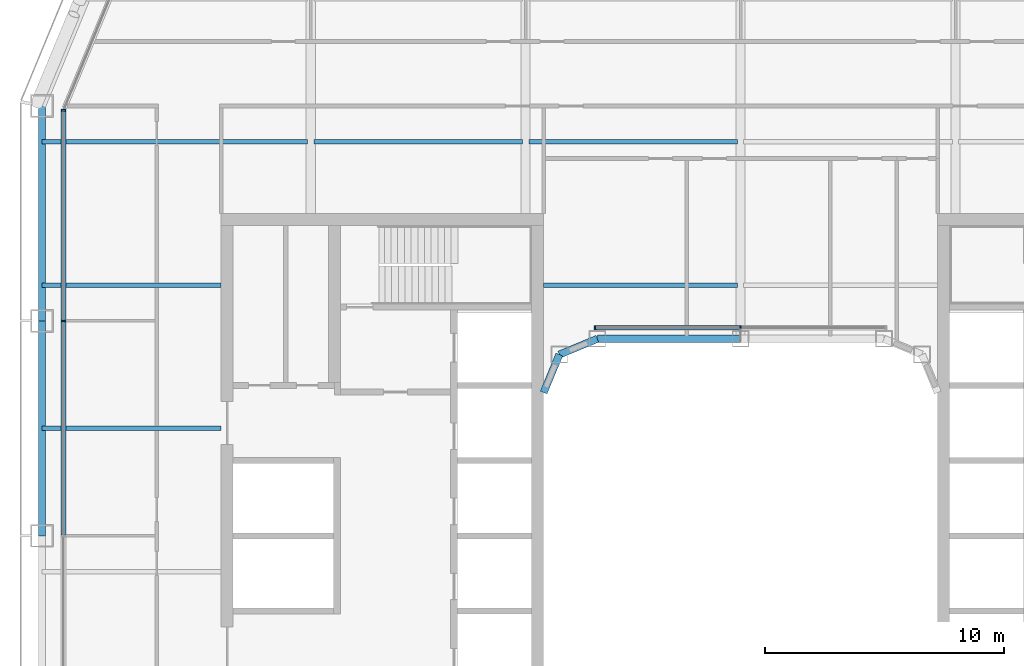
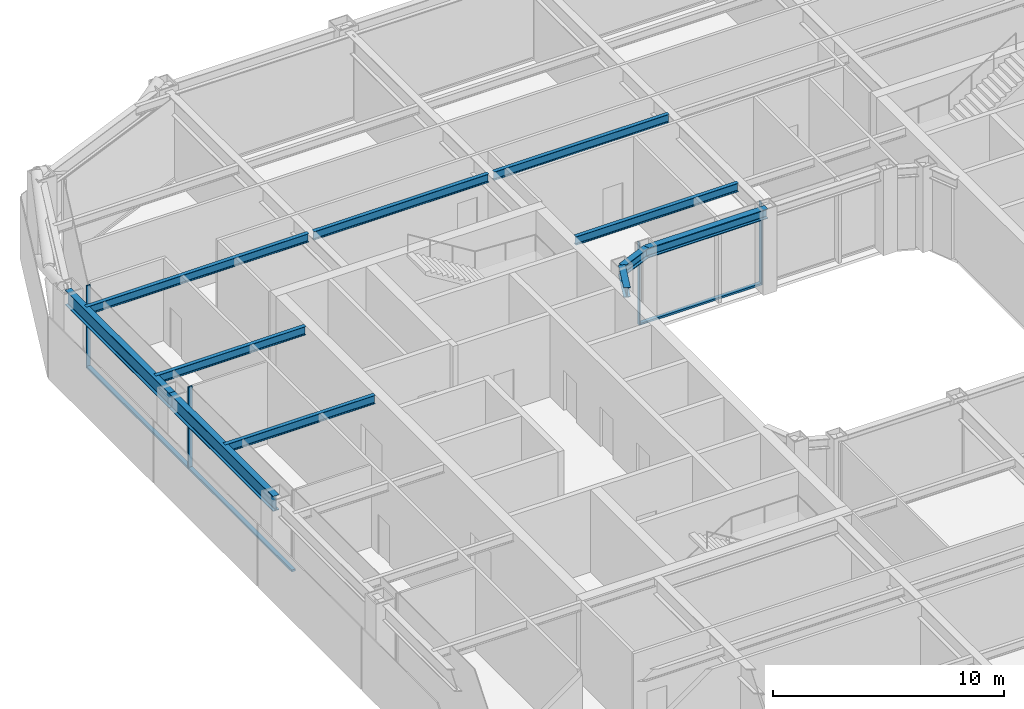
# One storey, part 6 of 21: 11 beams, 7 members, 2 elements without a shape of their own.
"""IFC4 building model written with IfcOpenShell, lengths in metres."""

from ifc_helpers import new_model, si_unit, direction, frame, origin, origin_2d, place, context, subcontext, project, spatial, rectangle, i_section, extrude, material, layer, layer_set, material_profile, profile_set, type_object, element, aggregate, save


model = new_model("IFC4")

# Units and contexts
model_context = context("Model", 3, precision=1e-05, world=origin(), true_north=direction((0.0, 1.0)))
body_context = subcontext(model_context, "Body", "Model", "MODEL_VIEW")
ifc_project = project(units=[si_unit("LENGTHUNIT", "METRE"), si_unit("AREAUNIT", "SQUARE_METRE"), si_unit("VOLUMEUNIT", "CUBIC_METRE"), si_unit("PLANEANGLEUNIT", "RADIAN"), si_unit("MASSUNIT", "GRAM", prefix="KILO")], contexts=[model_context])

# Site, building, storey
site_placement = place(None, origin())
site = spatial("IfcSite", under=ifc_project, at=site_placement, CompositionType="ELEMENT")
building_placement = place(site_placement, origin())
building = spatial("IfcBuilding", under=site, at=building_placement, Name="Siwar Civic Tower", CompositionType="ELEMENT")
storey_placement = place(building_placement, frame((0.0, 0.0, 122.699951171875)))
storey = spatial("IfcBuildingStorey", under=building, at=storey_placement, Name="L26", CompositionType="ELEMENT", Elevation=122.699951171875)

# Curtain wall, members
ifc_material_1 = material(Name="Aluminium and glass", Category="aluminium")
ifc_layer_1 = layer(ifc_material_1, 0.199951171875)
ifc_layer_set_1 = layer_set([ifc_layer_1], Name="Aluminium and glass")
curtain_wall_type_1 = type_object("IfcCurtainWallType", Name="ENV-CW-B", PredefinedType="NOTDEFINED", material=ifc_layer_set_1)
curtain_wall_1_placement = place(storey_placement, origin())
curtain_wall_1 = element("IfcCurtainWall", 1, at=curtain_wall_1_placement, inside=storey, type_object=curtain_wall_type_1, Name="Curtain wall B W", PredefinedType="NOTDEFINED")
ifc_material_2 = material(Name="Aluminium 6063-T6", Category="aluminium")
ifc_material_profile_1 = material_profile(ifc_material_2, rectangle(XDim=0.199951171875, YDim=0.06494140625, at=origin_2d()), Name="AL 200x65")
ifc_profile_set_1 = profile_set([ifc_material_profile_1], Name="Aluminium 6063-T6")
member_type_1 = type_object("IfcMemberType", Name="ENV-MULLION-B", PredefinedType="MULLION", material=ifc_profile_set_1)
member_1_placement = place(storey_placement, frame((-28.35009765625, 17.821044921875, 0.0), z_axis=(0.0, 0.0, 1.0), x_axis=(1.0, 0.0, 0.0)))
member_1 = element("IfcMember", 2, at=member_1_placement, type_object=member_type_1, Name="Mullion B W 1", PredefinedType="MULLION", context=body_context, shape_type="SweptSolid", body=[
    extrude(rectangle(XDim=0.199951171875, YDim=0.06494140625, at=origin_2d()), origin(), (0.0, 0.0, 1.0), 4.35009765625),
])
member_2_placement = place(storey_placement, frame((-28.35009765625, 9.0, 0.0), z_axis=(0.0, 0.0, 1.0), x_axis=(1.0, 0.0, 0.0)))
member_2 = element("IfcMember", 3, at=member_2_placement, type_object=member_type_1, Name="Mullion B W 2", PredefinedType="MULLION", context=body_context, shape_type="SweptSolid", body=[
    extrude(rectangle(XDim=0.199951171875, YDim=0.06494140625, at=origin_2d()), origin(), (0.0, 0.0, 1.0), 4.35009765625),
])

ifc_material_3 = material(Name="Aluminium and glass", Category="aluminium")
ifc_layer_2 = layer(ifc_material_3, 0.179931640625)
ifc_layer_set_2 = layer_set([ifc_layer_2], Name="Aluminium and glass")
curtain_wall_type_2 = type_object("IfcCurtainWallType", Name="ENV-CW-W", PredefinedType="NOTDEFINED", material=ifc_layer_set_2)
curtain_wall_2_placement = place(storey_placement, origin())
curtain_wall_2 = element("IfcCurtainWall", 4, at=curtain_wall_2_placement, inside=storey, type_object=curtain_wall_type_2, Name="Curtain wall W WN", PredefinedType="NOTDEFINED")
ifc_material_4 = material(Name="Aluminium 6063-T6", Category="aluminium")
ifc_material_profile_2 = material_profile(ifc_material_4, rectangle(XDim=0.179931640625, YDim=0.06005859375, at=origin_2d()), Name="AL 180x60")
ifc_profile_set_2 = profile_set([ifc_material_profile_2], Name="Aluminium 6063-T6")
member_type_2 = type_object("IfcMemberType", Name="ENV-MULLION-W", PredefinedType="MULLION", material=ifc_profile_set_2)
member_3_placement = place(storey_placement, frame((0.0, 8.7099609375, 0.0), z_axis=(0.0, 0.0, 1.0), x_axis=(0.0, -1.0, 0.0)))
member_3 = element("IfcMember", 5, at=member_3_placement, type_object=member_type_2, Name="Mullion W WN 2", PredefinedType="MULLION", context=body_context, shape_type="SweptSolid", body=[
    extrude(rectangle(XDim=0.179931640625, YDim=0.06005859375, at=origin_2d()), origin(), (0.0, 0.0, 1.0), 4.35009765625),
])
member_4_placement = place(storey_placement, frame((-6.091552734375, 8.7099609375, 0.0), z_axis=(0.0, 0.0, 1.0), x_axis=(0.0, -1.0, 0.0)))
member_4 = element("IfcMember", 6, at=member_4_placement, type_object=member_type_2, Name="Mullion W WN 3", PredefinedType="MULLION", context=body_context, shape_type="SweptSolid", body=[
    extrude(rectangle(XDim=0.179931640625, YDim=0.06005859375, at=origin_2d()), origin(), (0.0, 0.0, 1.0), 4.35009765625),
])

# Member
ifc_material_5 = material(Name="Aluminium 6063-T6", Category="aluminium")
ifc_material_profile_3 = material_profile(ifc_material_5, rectangle(XDim=0.199951171875, YDim=0.110107421875, at=origin_2d()), Name="AL 200x110")
ifc_profile_set_3 = profile_set([ifc_material_profile_3], Name="Aluminium 6063-T6")
member_type_3 = type_object("IfcMemberType", Name="ENV-TRANSOM-B", PredefinedType="USERDEFINED", material=ifc_profile_set_3)
member_5_placement = place(storey_placement, frame((-28.35009765625, 17.78857421875, 0.054931640625), z_axis=(0.0, -1.0, 0.0), x_axis=(1.0, 0.0, 0.0)))
member_5 = element("IfcMember", 7, at=member_5_placement, type_object=member_type_3, Name="Transom B W 1", ObjectType="TRANSOM", PredefinedType="USERDEFINED", context=body_context, shape_type="SweptSolid", body=[
    extrude(rectangle(XDim=0.199951171875, YDim=0.110107421875, at=origin_2d()), origin(), (0.0, 0.0, 1.0), 8.756103515625),
])

member_6_placement = place(storey_placement, frame((-28.35009765625, 8.967529296875, 0.054931640625), z_axis=(0.0, -1.0, 0.0), x_axis=(1.0, 0.0, 0.0)))
member_6 = element("IfcMember", 8, at=member_6_placement, type_object=member_type_3, Name="Transom B W 2", ObjectType="TRANSOM", PredefinedType="USERDEFINED", context=body_context, shape_type="SweptSolid", body=[
    extrude(rectangle(XDim=0.199951171875, YDim=0.110107421875, at=origin_2d()), origin(), (0.0, 0.0, 1.0), 8.93505859375),
])

aggregate(curtain_wall_1, [member_1, member_2, member_5, member_6])

ifc_material_6 = material(Name="Aluminium 6063-T6", Category="aluminium")
ifc_material_profile_4 = material_profile(ifc_material_6, rectangle(XDim=0.179931640625, YDim=0.10009765625, at=origin_2d()), Name="AL 180x100")
ifc_profile_set_4 = profile_set([ifc_material_profile_4], Name="Aluminium 6063-T6")
member_type_4 = type_object("IfcMemberType", Name="ENV-TRANSOM-W", PredefinedType="USERDEFINED", material=ifc_profile_set_4)
member_7_placement = place(storey_placement, frame((-0.030029296875, 8.7099609375, 0.050048828125), z_axis=(-1.0, 0.0, 0.0), x_axis=(0.0, -1.0, 0.0)))
member_7 = element("IfcMember", 9, at=member_7_placement, type_object=member_type_4, Name="Transom W WN 2", ObjectType="TRANSOM", PredefinedType="USERDEFINED", context=body_context, shape_type="SweptSolid", body=[
    extrude(rectangle(XDim=0.179931640625, YDim=0.10009765625, at=origin_2d()), origin(), (0.0, 0.0, 1.0), 6.031494140625),
])

aggregate(curtain_wall_2, [member_3, member_4, member_7])

# Beams
ifc_material_7 = material(Name="Steel S355", Category="steel")
ifc_material_profile_5 = material_profile(ifc_material_7, i_section(OverallWidth=0.18994140625, OverallDepth=0.449951171875, WebThickness=0.009521484375, FlangeThickness=0.0146484375, FilletRadius=0.02099609375, at=origin_2d()), Name="IPE450")
ifc_profile_set_5 = profile_set([ifc_material_profile_5], Name="Steel S355")
beam_type_1 = type_object("IfcBeamType", Name="STR-FB-IPE450", PredefinedType="JOIST", material=ifc_profile_set_5)
for number, where, z_axis, x_axis, name in (
    (10, (-29.25, 4.5, 4.125), (1.0, 0.0, 0.0), (0.0, 1.0, 0.0), "L26/bm/F025"),
    (11, (-29.25, 10.5, 4.125), (1.0, 0.0, 0.0), (0.0, 1.0, 0.0), "L26/bm/F027"),
):
    element("IfcBeam", number, at=place(storey_placement, frame(where, z_axis=z_axis, x_axis=x_axis)), inside=storey, type_object=beam_type_1, Name=name, PredefinedType="JOIST", context=body_context, shape_type="SweptSolid", body=[
        extrude(i_section(OverallWidth=0.18994140625, OverallDepth=0.449951171875, WebThickness=0.009521484375, FlangeThickness=0.0146484375, FilletRadius=0.02099609375, at=origin_2d()), origin(), (0.0, 0.0, 1.0), 7.5),
    ])
beam_1_placement = place(storey_placement, frame((-8.25, 10.5, 4.125), z_axis=(1.0, 0.0, 0.0), x_axis=(0.0, 1.0, 0.0)))
element("IfcBeam", 12, at=beam_1_placement, inside=storey, type_object=beam_type_1, Name="L26/bm/F028", PredefinedType="JOIST", context=body_context, shape_type="SweptSolid", body=[
    extrude(i_section(OverallWidth=0.18994140625, OverallDepth=0.449951171875, WebThickness=0.009521484375, FlangeThickness=0.0146484375, FilletRadius=0.02099609375, at=origin_2d()), origin(), (0.0, 0.0, 1.0), 8.1201171875),
])
beam_2_placement = place(storey_placement, frame((-29.25, 16.5, 4.125), z_axis=(1.0, 0.0, 0.0), x_axis=(0.0, 1.0, 0.0)))
element("IfcBeam", 13, at=beam_2_placement, inside=storey, type_object=beam_type_1, Name="L26/bm/F031", PredefinedType="JOIST", context=body_context, shape_type="SweptSolid", body=[
    extrude(i_section(OverallWidth=0.18994140625, OverallDepth=0.449951171875, WebThickness=0.009521484375, FlangeThickness=0.0146484375, FilletRadius=0.02099609375, at=origin_2d()), origin(), (0.0, 0.0, 1.0), 11.1201171875),
])
for number, where, z_axis, x_axis, name in (
    (14, (-17.8701171875, 16.5, 4.125), (1.0, 0.0, 0.0), (0.0, 1.0, 0.0), "L26/bm/F032"),
    (15, (-8.8701171875, 16.5, 4.125), (1.0, 0.0, 0.0), (0.0, 1.0, 0.0), "L26/bm/F033"),
):
    element("IfcBeam", number, at=place(storey_placement, frame(where, z_axis=z_axis, x_axis=x_axis)), inside=storey, type_object=beam_type_1, Name=name, PredefinedType="JOIST", context=body_context, shape_type="SweptSolid", body=[
        extrude(i_section(OverallWidth=0.18994140625, OverallDepth=0.449951171875, WebThickness=0.009521484375, FlangeThickness=0.0146484375, FilletRadius=0.02099609375, at=origin_2d()), origin(), (0.0, 0.0, 1.0), 8.740234375),
    ])
ifc_material_8 = material(Name="Steel S355", Category="steel")
ifc_material_profile_6 = material_profile(ifc_material_8, i_section(OverallWidth=0.305908203125, OverallDepth=0.52392578125, WebThickness=0.02099609375, FlangeThickness=0.0400390625, FilletRadius=0.027099609375, at=origin_2d()), Name="HEM500")
ifc_profile_set_6 = profile_set([ifc_material_profile_6], Name="Steel S355")
beam_type_2 = type_object("IfcBeamType", Name="STR-RB-HEM500", PredefinedType="BEAM", material=ifc_profile_set_6)
beam_3_placement = place(storey_placement, frame((-7.591064453125, 7.591064453125, 4.088134765625), z_axis=(0.923901072997, 0.382631424892, 0.0), x_axis=(-0.382631424892, 0.923901072997, 0.0)))
element("IfcBeam", 16, at=beam_3_placement, inside=storey, type_object=beam_type_2, Name="L26/bm/RN0", PredefinedType="BEAM", context=body_context, shape_type="SweptSolid", body=[
    extrude(i_section(OverallWidth=0.305908203125, OverallDepth=0.52392578125, WebThickness=0.02099609375, FlangeThickness=0.0400390625, FilletRadius=0.027099609375, at=origin_2d()), origin(), (0.0, 0.0, 1.0), 1.72216796875),
])
beam_4_placement = place(storey_placement, frame((-6.0, 8.25, 4.088134765625), z_axis=(1.0, 0.0, 0.0), x_axis=(0.0, 1.0, 0.0)))
element("IfcBeam", 17, at=beam_4_placement, inside=storey, type_object=beam_type_2, Name="L26/bm/RN1", PredefinedType="BEAM", context=body_context, shape_type="SweptSolid", body=[
    extrude(i_section(OverallWidth=0.305908203125, OverallDepth=0.52392578125, WebThickness=0.02099609375, FlangeThickness=0.0400390625, FilletRadius=0.027099609375, at=origin_2d()), origin(), (0.0, 0.0, 1.0), 6.0),
])
beam_5_placement = place(storey_placement, frame((-7.591064453125, 7.591064453125, 4.088134765625), z_axis=(-0.382631424892, -0.923901072997, 0.0), x_axis=(0.923901072997, -0.382631424892, 0.0)))
element("IfcBeam", 18, at=beam_5_placement, inside=storey, type_object=beam_type_2, Name="L26/bm/RNEW", PredefinedType="BEAM", context=body_context, shape_type="SweptSolid", body=[
    extrude(i_section(OverallWidth=0.305908203125, OverallDepth=0.52392578125, WebThickness=0.02099609375, FlangeThickness=0.0400390625, FilletRadius=0.027099609375, at=origin_2d()), origin(), (0.0, 0.0, 1.0), 1.72216796875),
])
ifc_material_9 = material(Name="Steel S355", Category="steel")
ifc_material_profile_7 = material_profile(ifc_material_9, i_section(OverallWidth=0.300048828125, OverallDepth=0.800048828125, WebThickness=0.017578125, FlangeThickness=0.032958984375, FilletRadius=0.030029296875, at=origin_2d()), Name="HEB800")
ifc_profile_set_7 = profile_set([ifc_material_profile_7], Name="Steel S355")
beam_type_3 = type_object("IfcBeamType", Name="STR-SB-HEB800", PredefinedType="BEAM", material=ifc_profile_set_7)
for number, where, z_axis, x_axis, name in (
    (19, (-29.25, 18.0, 3.949951171875), (0.0, -1.0, 0.0), (1.0, 0.0, 0.0), "L26/bm/SW-0"),
    (20, (-29.25, 9.0, 3.949951171875), (0.0, -1.0, 0.0), (1.0, 0.0, 0.0), "L26/bm/SW-1"),
):
    element("IfcBeam", number, at=place(storey_placement, frame(where, z_axis=z_axis, x_axis=x_axis)), inside=storey, type_object=beam_type_3, Name=name, PredefinedType="BEAM", context=body_context, shape_type="SweptSolid", body=[
        extrude(i_section(OverallWidth=0.300048828125, OverallDepth=0.800048828125, WebThickness=0.017578125, FlangeThickness=0.032958984375, FilletRadius=0.030029296875, at=origin_2d()), origin(), (0.0, 0.0, 1.0), 9.0),
    ])

save(model, "model.ifc")
